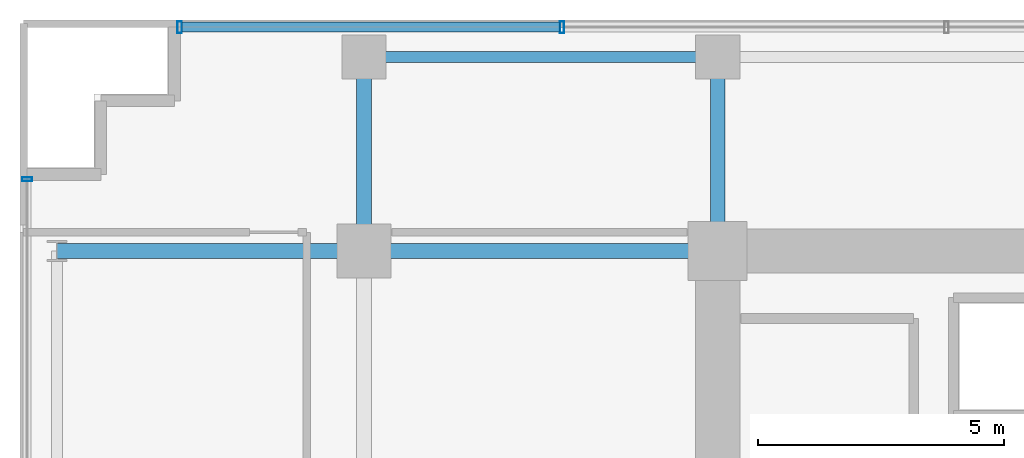
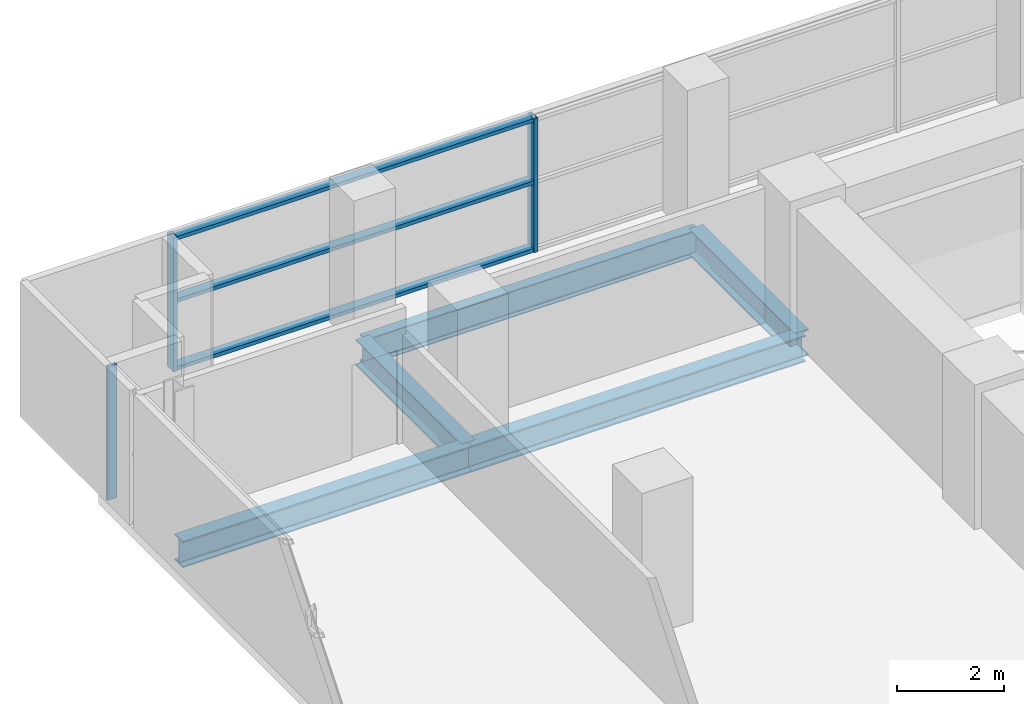
# One storey, part 15 of 28: 6 members, 5 beams, 2 elements without a shape of their own.
"""IFC4 building model written with IfcOpenShell, lengths in metres."""

import ifcopenshell
import ifcopenshell.guid

model = None  # the IFC model being written
_history = None  # IfcOwnerHistory: only IFC2X3 demands one
_inside = {}  # id of a spatial element -> (the spatial element, [elements in it])
_under = {}  # id of a project, library or spatial element -> (it, [spatial elements below it])
_declared = {}  # id of a project -> (the project, [libraries it declares])
_typed = {}  # id of a type object -> (the type object, [elements of that type])
_made_of = {}  # id of a material, layer set ... -> (it, [elements and type objects made of it])


def new_model(schema):
    """Start an empty IFC model of exactly this schema.

    Asked for "IFC4X3", IfcOpenShell would pick the latest addendum, in which some entities
    have other attributes; the version numbers below select the first issue.
    IFC2X3 requires an IfcOwnerHistory on every rooted entity: one is made here for all.
    """
    global model, _history
    if schema == "IFC4X3":
        model = ifcopenshell.file(schema_version=(4, 3, 0, 0))
    else:
        model = ifcopenshell.file(schema=schema)
    _inside.clear()
    _under.clear()
    _declared.clear()
    _typed.clear()
    _made_of.clear()
    _history = None
    if model.schema == "IFC2X3":
        org = make("IfcOrganization", Name="unknown")
        user = make(
            "IfcPersonAndOrganization",
            ThePerson=make("IfcPerson", FamilyName="unknown"),
            TheOrganization=org,
        )
        app = make(
            "IfcApplication",
            ApplicationDeveloper=org,
            Version="unknown",
            ApplicationFullName="unknown",
            ApplicationIdentifier="unknown",
        )
        _history = make(
            "IfcOwnerHistory",
            OwningUser=user,
            OwningApplication=app,
            ChangeAction="ADDED",
            CreationDate=0,
        )
    return model


def make(cls, **values):
    """One entity of the class cls with the attributes given. An attribute that is None is left unset."""
    return model.create_entity(
        cls, **{name: value for name, value in values.items() if value is not None}
    )


def rooted(cls, **values):
    """An entity with a GlobalId (a new one), such as an element, a storey or a relation."""
    return make(cls, GlobalId=ifcopenshell.guid.new(), OwnerHistory=_history, **values)


def si_unit(unit_type, name, prefix=None):
    """IfcSIUnit, for example si_unit("LENGTHUNIT", "METRE", prefix="MILLI")."""
    return make("IfcSIUnit", UnitType=unit_type, Prefix=prefix, Name=name)


def assignment(units):
    """IfcUnitAssignment: the units of a project."""
    return None if units is None else make("IfcUnitAssignment", Units=units)


def point(xyz):
    """IfcCartesianPoint."""
    return None if xyz is None else make("IfcCartesianPoint", Coordinates=xyz)


def direction(xyz):
    """IfcDirection."""
    return None if xyz is None else make("IfcDirection", DirectionRatios=xyz)


def frame(location, z_axis=None, x_axis=None):
    """IfcAxis2Placement3D, a coordinate frame: its origin and axes. An axis left out is left unset."""
    return make(
        "IfcAxis2Placement3D",
        Location=point(location),
        Axis=direction(z_axis),
        RefDirection=direction(x_axis),
    )


def frame_2d(location, x_axis=None):
    """IfcAxis2Placement2D, a coordinate frame in the plane: its origin and x axis."""
    return make(
        "IfcAxis2Placement2D", Location=point(location), RefDirection=direction(x_axis)
    )


def origin():
    """The frame at (0, 0, 0) with its axes left unset."""
    return frame((0.0, 0.0, 0.0))


def origin_2d():
    """The frame at (0, 0) in the plane with its x axis left unset."""
    return frame_2d((0.0, 0.0))


def place(relative_to, where):
    """IfcLocalPlacement: puts the frame where relative to a parent placement (None: the world)."""
    return make(
        "IfcLocalPlacement", PlacementRelTo=relative_to, RelativePlacement=where
    )


def context(
    kind, dimensions, precision=None, world=None, true_north=None, identifier=None
):
    """IfcGeometricRepresentationContext, for example the 3D "Model" context."""
    return make(
        "IfcGeometricRepresentationContext",
        ContextIdentifier=identifier,
        ContextType=kind,
        CoordinateSpaceDimension=dimensions,
        Precision=precision,
        WorldCoordinateSystem=world,
        TrueNorth=true_north,
    )


def subcontext(parent, identifier, kind, view, scale=None):
    """IfcGeometricRepresentationSubContext, for example "Body" below "Model"."""
    return make(
        "IfcGeometricRepresentationSubContext",
        ContextIdentifier=identifier,
        ContextType=kind,
        ParentContext=parent,
        TargetScale=scale,
        TargetView=view,
    )


def project(units=None, contexts=None):
    """IfcProject with its units and contexts."""
    return rooted(
        "IfcProject",
        Name="project",
        RepresentationContexts=contexts,
        UnitsInContext=assignment(units),
    )


def spatial(cls, under=None, at=None, **own):
    """A site, building, storey or space (cls), placed at a placement, below another one or the project."""
    s = rooted(cls, ObjectPlacement=at, **own)
    if under is not None:
        _under.setdefault(under.id(), (under, []))[1].append(s)
    return s


def profile(cls, at=None, kind="AREA", **sizes):
    """A parametric profile (cls). Its sizes go by their IFC names, for example OverallWidth=200.0."""
    return make(cls, ProfileType=kind, Position=at, **sizes)


def hollow_rectangle(**sizes):
    """IfcRectangleHollowProfileDef."""
    return profile("IfcRectangleHollowProfileDef", **sizes)


def i_section(**sizes):
    """IfcIShapeProfileDef."""
    return profile("IfcIShapeProfileDef", **sizes)


def extrude(swept, where, along, depth):
    """IfcExtrudedAreaSolid: the profile swept, set in the frame where, extruded along a direction by depth."""
    return make(
        "IfcExtrudedAreaSolid",
        SweptArea=swept,
        Position=where,
        ExtrudedDirection=direction(along),
        Depth=depth,
    )


def shape(context_of_items, identifier, shape_type, items):
    """IfcShapeRepresentation: the items that make up one representation, for example the "Body"."""
    return make(
        "IfcShapeRepresentation",
        ContextOfItems=context_of_items,
        RepresentationIdentifier=identifier,
        RepresentationType=shape_type,
        Items=items,
    )


def source(mapping_origin, context_of_items, identifier, shape_type, items):
    """IfcRepresentationMap: a shape defined once, which mapped items show again and again."""
    return make(
        "IfcRepresentationMap",
        MappingOrigin=mapping_origin,
        MappedRepresentation=shape(context_of_items, identifier, shape_type, items),
    )


def transform(
    local_origin,
    x_axis=None,
    y_axis=None,
    z_axis=None,
    scale=None,
    scale2=None,
    scale3=None,
    uniform=True,
):
    """IfcCartesianTransformationOperator3D, or its non-uniform kind. x_axis, y_axis, z_axis: its Axis1, 2, 3."""
    if uniform:
        return make(
            "IfcCartesianTransformationOperator3D",
            Axis1=direction(x_axis),
            Axis2=direction(y_axis),
            LocalOrigin=point(local_origin),
            Scale=scale,
            Axis3=direction(z_axis),
        )
    return make(
        "IfcCartesianTransformationOperator3DnonUniform",
        Axis1=direction(x_axis),
        Axis2=direction(y_axis),
        LocalOrigin=point(local_origin),
        Scale=scale,
        Axis3=direction(z_axis),
        Scale2=scale2,
        Scale3=scale3,
    )


def mapped(mapping_source, mapping_target):
    """IfcMappedItem: shows the shape of a source again, moved by a transform."""
    return make(
        "IfcMappedItem", MappingSource=mapping_source, MappingTarget=mapping_target
    )


def material(Name=None, Category=None):
    """IfcMaterial."""
    return make("IfcMaterial", Name=Name, Category=Category)


def layer(
    of_material, thickness, ventilated=None, Name=None, Category=None, Priority=None
):
    """IfcMaterialLayer: one layer of a wall or slab, of a material (None: an air gap)."""
    return make(
        "IfcMaterialLayer",
        Material=of_material,
        LayerThickness=thickness,
        IsVentilated=ventilated,
        Name=Name,
        Category=Category,
        Priority=Priority,
    )


def layer_set(layers, Name=None):
    """IfcMaterialLayerSet."""
    return make("IfcMaterialLayerSet", MaterialLayers=layers, LayerSetName=Name)


def material_profile(
    of_material, cross_section, Name=None, Category=None, Priority=None
):
    """IfcMaterialProfile: a cross section and its material."""
    return make(
        "IfcMaterialProfile",
        Name=Name,
        Material=of_material,
        Profile=cross_section,
        Priority=Priority,
        Category=Category,
    )


def profile_set(profiles, Name=None, composite=None):
    """IfcMaterialProfileSet."""
    return make(
        "IfcMaterialProfileSet",
        Name=Name,
        MaterialProfiles=profiles,
        CompositeProfile=composite,
    )


def made_of(thing, what):
    """Note that an element or type object is made of a material, layer set ...; save() writes the relation."""
    if what is not None:
        _made_of.setdefault(what.id(), (what, []))[1].append(thing)
    return thing


def type_object(cls, material=None, **own):
    """A type object (cls), such as IfcWallType, which elements share."""
    return made_of(rooted(cls, **own), material)


def element(
    cls,
    number,
    at=None,
    inside=None,
    cuts=None,
    type_object=None,
    material=None,
    context=None,
    identifier="Body",
    shape_type=None,
    held_by="IfcProductDefinitionShape",
    body=None,
    shapes=None,
    **own,
):
    """One element of the class cls, such as IfcWall. Its Tag is "e" and its number.

    at: its placement. inside: the storey or other place that contains it. cuts: it is an
    opening in that element (IfcRelVoidsElement). A single representation is given by context,
    identifier, shape_type and body (its items); several are given by shapes. held_by: the class
    of the entity that holds the representations. save() writes the other relations.
    """
    e = rooted(cls, Tag="e%d" % number, ObjectPlacement=at, **own)
    if body is not None:
        shapes = [shape(context, identifier, shape_type, body)]
    if shapes is not None:
        e.Representation = make(held_by, Representations=shapes)
    if inside is not None:
        _inside.setdefault(inside.id(), (inside, []))[1].append(e)
    if cuts is not None:
        rooted(
            "IfcRelVoidsElement", RelatingBuildingElement=cuts, RelatedOpeningElement=e
        )
    if type_object is not None:
        _typed.setdefault(type_object.id(), (type_object, []))[1].append(e)
    return made_of(e, material)


def aggregate(whole, parts):
    """IfcRelAggregates: a whole, such as a stair, and the parts it consists of."""
    return rooted("IfcRelAggregates", RelatingObject=whole, RelatedObjects=parts)


def save(model, path):
    """Write the relations noted so far, then the file.

    IfcRelAggregates (storeys below a building ...), IfcRelContainedInSpatialStructure (elements
    in a storey), IfcRelDefinesByType, IfcRelAssociatesMaterial and IfcRelDeclares: one each for
    every whole, place, type object, material and project.
    """
    for whole, parts in _under.values():
        aggregate(whole, parts)
    for where, things in _inside.values():
        rooted(
            "IfcRelContainedInSpatialStructure",
            RelatedElements=things,
            RelatingStructure=where,
        )
    for kind, things in _typed.values():
        rooted("IfcRelDefinesByType", RelatedObjects=things, RelatingType=kind)
    for what, things in _made_of.values():
        rooted("IfcRelAssociatesMaterial", RelatedObjects=things, RelatingMaterial=what)
    for by, libraries in _declared.values():
        rooted("IfcRelDeclares", RelatingContext=by, RelatedDefinitions=libraries)
    model.write(path)


model = new_model("IFC4")

# Units and contexts
model_context = context("Model", 3, precision=1e-05, world=origin(), true_north=direction((0.0, 1.0)))
body_context = subcontext(model_context, "Body", "Model", "MODEL_VIEW")
ifc_project = project(units=[si_unit("LENGTHUNIT", "METRE"), si_unit("AREAUNIT", "SQUARE_METRE"), si_unit("VOLUMEUNIT", "CUBIC_METRE"), si_unit("PLANEANGLEUNIT", "RADIAN"), si_unit("MASSUNIT", "GRAM", prefix="KILO")], contexts=[model_context])

# Site, building, storey
site_placement = place(None, origin())
site = spatial("IfcSite", under=ifc_project, at=site_placement, CompositionType="ELEMENT")
building_placement = place(site_placement, origin())
building = spatial("IfcBuilding", under=site, at=building_placement, Name="Zarnakvel Exchange Tower", CompositionType="ELEMENT")
storey_placement = place(building_placement, frame((0.0, 0.0, 57.10009765625)))
storey = spatial("IfcBuildingStorey", under=building, at=storey_placement, Name="L15", CompositionType="ELEMENT", Elevation=57.10009765625)

# Beams
ifc_material_1 = material(Name="Steel S355", Category="steel")
ifc_material_profile_1 = material_profile(ifc_material_1, i_section(OverallWidth=0.300048828125, OverallDepth=0.60009765625, WebThickness=0.015380859375, FlangeThickness=0.030029296875, FilletRadius=0.027099609375, at=origin_2d()))
ifc_profile_set_1 = profile_set([ifc_material_profile_1], Name="Steel S355")
beam_type_1 = type_object("IfcBeamType", Name="G-04", PredefinedType="BEAM", material=ifc_profile_set_1)
beam_1_placement = place(storey_placement, frame((-27.85009765625, 13.5, -0.525146484375), z_axis=(1.0, 0.0, 0.0), x_axis=(0.0, 1.0, 0.0)))
element("IfcBeam", 1, at=beam_1_placement, inside=storey, type_object=beam_type_1, Name="L15 Tower E-W Frame Beam", PredefinedType="BEAM", context=body_context, shape_type="SweptSolid", body=[
    extrude(i_section(OverallWidth=0.300048828125, OverallDepth=0.60009765625, WebThickness=0.015380859375, FlangeThickness=0.030029296875, FilletRadius=0.027099609375, at=origin_2d()), origin(), (0.0, 0.0, 1.0), 6.25),
])
beam_2_placement = place(storey_placement, frame((-21.60009765625, 13.5, -0.525146484375), z_axis=(1.0, 0.0, 0.0), x_axis=(0.0, 1.0, 0.0)))
element("IfcBeam", 2, at=beam_2_placement, inside=storey, type_object=beam_type_1, Name="L15 Tower E-W Frame Beam", PredefinedType="BEAM", context=body_context, shape_type="SweptSolid", body=[
    extrude(i_section(OverallWidth=0.300048828125, OverallDepth=0.60009765625, WebThickness=0.015380859375, FlangeThickness=0.030029296875, FilletRadius=0.027099609375, at=origin_2d()), origin(), (0.0, 0.0, 1.0), 7.2001953125),
])
for number, where, z_axis, x_axis, name in (
    (3, (-21.60009765625, 13.5, -0.525146484375), (0.0, 1.0, 0.0), (-1.0, 0.0, 0.0), "L15 Tower N-S Frame Beam"),
    (4, (-14.39990234375, 13.5, -0.525146484375), (0.0, 1.0, 0.0), (-1.0, 0.0, 0.0), "L15 Tower N-S Frame Beam"),
):
    element("IfcBeam", number, at=place(storey_placement, frame(where, z_axis=z_axis, x_axis=x_axis)), inside=storey, type_object=beam_type_1, Name=name, PredefinedType="BEAM", context=body_context, shape_type="SweptSolid", body=[
        extrude(i_section(OverallWidth=0.300048828125, OverallDepth=0.60009765625, WebThickness=0.015380859375, FlangeThickness=0.030029296875, FilletRadius=0.027099609375, at=origin_2d()), origin(), (0.0, 0.0, 1.0), 3.949951171875),
    ])
ifc_material_profile_2 = material_profile(ifc_material_1, i_section(OverallWidth=0.219970703125, OverallDepth=0.60009765625, WebThickness=0.011962890625, FlangeThickness=0.01904296875, FilletRadius=0.02392578125, at=origin_2d()))
ifc_profile_set_2 = profile_set([ifc_material_profile_2], Name="Steel S355")
beam_type_2 = type_object("IfcBeamType", Name="SP-01", PredefinedType="SPANDREL", material=ifc_profile_set_2)
beam_3_placement = place(storey_placement, frame((-21.60009765625, 17.449951171875, -0.525146484375), z_axis=(1.0, 0.0, 0.0), x_axis=(0.0, 1.0, 0.0)))
element("IfcBeam", 5, at=beam_3_placement, inside=storey, type_object=beam_type_2, Name="L15 Tower E-W Frame Beam", PredefinedType="SPANDREL", context=body_context, shape_type="SweptSolid", body=[
    extrude(i_section(OverallWidth=0.219970703125, OverallDepth=0.60009765625, WebThickness=0.011962890625, FlangeThickness=0.01904296875, FilletRadius=0.02392578125, at=origin_2d()), origin(), (0.0, 0.0, 1.0), 7.2001953125),
])

# Curtain wall, members
ifc_material_2 = material(Name="Architectural Bronze Anodised Aluminium", Category="aluminium")
ifc_layer_1 = layer(ifc_material_2, 0.239990234375)
ifc_layer_set_1 = layer_set([ifc_layer_1], Name="Architectural Bronze Anodised Aluminium")
curtain_wall_type_1 = type_object("IfcCurtainWallType", Name="CW-02", PredefinedType="NOTDEFINED", material=ifc_layer_set_1)
curtain_wall_1_placement = place(storey_placement, origin())
curtain_wall_1 = element("IfcCurtainWall", 6, at=curtain_wall_1_placement, inside=storey, type_object=curtain_wall_type_1, Name="L15 Curtain Wall CW-L15-N1 (CW-02)", PredefinedType="NOTDEFINED")
ifc_material_profile_3 = material_profile(ifc_material_2, hollow_rectangle(XDim=0.199951171875, YDim=0.0849609375, WallThickness=0.0048828125, at=origin_2d()))
ifc_profile_set_3 = profile_set([ifc_material_profile_3], Name="Architectural Bronze Anodised Aluminium")
member_type_1 = type_object("IfcMemberType", Name="CWT-02", PredefinedType="USERDEFINED", material=ifc_profile_set_3)
shared_shape_1 = source(origin(), body_context, "Body", "SweptSolid", [
    extrude(hollow_rectangle(XDim=0.199951171875, YDim=0.0849609375, WallThickness=0.0048828125, at=origin_2d()), origin(), (0.0, 0.0, 1.0), 7.693603515625),
])
member_1_placement = place(storey_placement, frame((-25.31005859375, 18.06005859375, 0.04248046875), z_axis=(1.0, 0.0, 0.0), x_axis=(0.0, 1.0, 0.0)))
member_1 = element("IfcMember", 7, at=member_1_placement, type_object=member_type_1, Name="CW-02 transom 1.1", ObjectType="TRANSOM", PredefinedType="USERDEFINED", context=body_context, shape_type="MappedRepresentation", body=[
    mapped(shared_shape_1, transform((0.0, 0.0, 0.0), x_axis=(1.0, 0.0, 0.0), y_axis=(0.0, 1.0, 0.0), z_axis=(0.0, 0.0, 1.0), scale=1.0)),
])
member_2_placement = place(storey_placement, frame((-25.31005859375, 18.06005859375, 1.588623046875), z_axis=(1.0, 0.0, 0.0), x_axis=(0.0, 1.0, 0.0)))
member_2 = element("IfcMember", 8, at=member_2_placement, type_object=member_type_1, Name="CW-02 transom 1.2", ObjectType="TRANSOM", PredefinedType="USERDEFINED", context=body_context, shape_type="MappedRepresentation", body=[
    mapped(shared_shape_1, transform((0.0, 0.0, 0.0), x_axis=(1.0, 0.0, 0.0), y_axis=(0.0, 1.0, 0.0), z_axis=(0.0, 0.0, 1.0), scale=1.0)),
])
member_3_placement = place(storey_placement, frame((-25.31005859375, 18.06005859375, 3.012451171875), z_axis=(1.0, 0.0, 0.0), x_axis=(0.0, 1.0, 0.0)))
member_3 = element("IfcMember", 9, at=member_3_placement, type_object=member_type_1, Name="CW-02 transom 1.3", ObjectType="TRANSOM", PredefinedType="USERDEFINED", context=body_context, shape_type="MappedRepresentation", body=[
    mapped(shared_shape_1, transform((0.0, 0.0, 0.0), x_axis=(1.0, 0.0, 0.0), y_axis=(0.0, 1.0, 0.0), z_axis=(0.0, 0.0, 1.0), scale=1.0)),
])
ifc_material_profile_4 = material_profile(ifc_material_2, hollow_rectangle(XDim=0.239990234375, YDim=0.090087890625, WallThickness=0.006103515625, at=origin_2d()))
ifc_profile_set_4 = profile_set([ifc_material_profile_4], Name="Architectural Bronze Anodised Aluminium")
member_type_2 = type_object("IfcMemberType", Name="CWM-02", PredefinedType="MULLION", material=ifc_profile_set_4)
shared_shape_2 = source(origin(), body_context, "Body", "SweptSolid", [
    extrude(hollow_rectangle(XDim=0.239990234375, YDim=0.090087890625, WallThickness=0.006103515625, at=origin_2d()), origin(), (0.0, 0.0, 1.0), 3.054931640625),
])
member_4_placement = place(storey_placement, frame((-25.35498046875, 18.06005859375, 0.0), z_axis=(0.0, 0.0, 1.0), x_axis=(0.0, 1.0, 0.0)))
member_4 = element("IfcMember", 10, at=member_4_placement, type_object=member_type_2, Name="CW-02 mullion 1", PredefinedType="MULLION", context=body_context, shape_type="MappedRepresentation", body=[
    mapped(shared_shape_2, transform((0.0, 0.0, 0.0), x_axis=(1.0, 0.0, 0.0), y_axis=(0.0, 1.0, 0.0), z_axis=(0.0, 0.0, 1.0), scale=1.0)),
])
member_5_placement = place(storey_placement, frame((-17.571533203125, 18.06005859375, 0.0), z_axis=(0.0, 0.0, 1.0), x_axis=(0.0, 1.0, 0.0)))
member_5 = element("IfcMember", 11, at=member_5_placement, type_object=member_type_2, Name="CW-02 mullion 2", PredefinedType="MULLION", context=body_context, shape_type="MappedRepresentation", body=[
    mapped(shared_shape_2, transform((0.0, 0.0, 0.0), x_axis=(1.0, 0.0, 0.0), y_axis=(0.0, 1.0, 0.0), z_axis=(0.0, 0.0, 1.0), scale=1.0)),
])
aggregate(curtain_wall_1, [member_4, member_5, member_1, member_2, member_3])

# Curtain wall, member
ifc_layer_2 = layer(ifc_material_2, 0.199951171875)
ifc_layer_set_2 = layer_set([ifc_layer_2], Name="Architectural Bronze Anodised Aluminium")
curtain_wall_type_2 = type_object("IfcCurtainWallType", Name="CW-04", PredefinedType="NOTDEFINED", material=ifc_layer_set_2)
curtain_wall_2_placement = place(storey_placement, origin())
curtain_wall_2 = element("IfcCurtainWall", 12, at=curtain_wall_2_placement, inside=storey, type_object=curtain_wall_type_2, Name="L15 Curtain Wall CW-L15-W1 (CW-04)", PredefinedType="NOTDEFINED")
ifc_material_profile_5 = material_profile(ifc_material_2, hollow_rectangle(XDim=0.199951171875, YDim=0.074951171875, WallThickness=0.0048828125, at=origin_2d()))
ifc_profile_set_5 = profile_set([ifc_material_profile_5], Name="Architectural Bronze Anodised Aluminium")
member_type_3 = type_object("IfcMemberType", Name="CWM-04", PredefinedType="MULLION", material=ifc_profile_set_5)
shared_shape_3 = source(origin(), body_context, "Body", "SweptSolid", [
    extrude(hollow_rectangle(XDim=0.199951171875, YDim=0.074951171875, WallThickness=0.0048828125, at=origin_2d()), origin(), (0.0, 0.0, 1.0), 3.054931640625),
])
member_6_placement = place(storey_placement, frame((-28.4599609375, 14.96240234375, 0.0), z_axis=(0.0, 0.0, 1.0), x_axis=(-1.0, 0.0, 0.0)))
member_6 = element("IfcMember", 13, at=member_6_placement, type_object=member_type_3, Name="CW-04 mullion 5", PredefinedType="MULLION", context=body_context, shape_type="MappedRepresentation", body=[
    mapped(shared_shape_3, transform((0.0, 0.0, 0.0), x_axis=(1.0, 0.0, 0.0), y_axis=(0.0, 1.0, 0.0), z_axis=(0.0, 0.0, 1.0), scale=1.0)),
])
aggregate(curtain_wall_2, [member_6])

save(model, "model.ifc")
